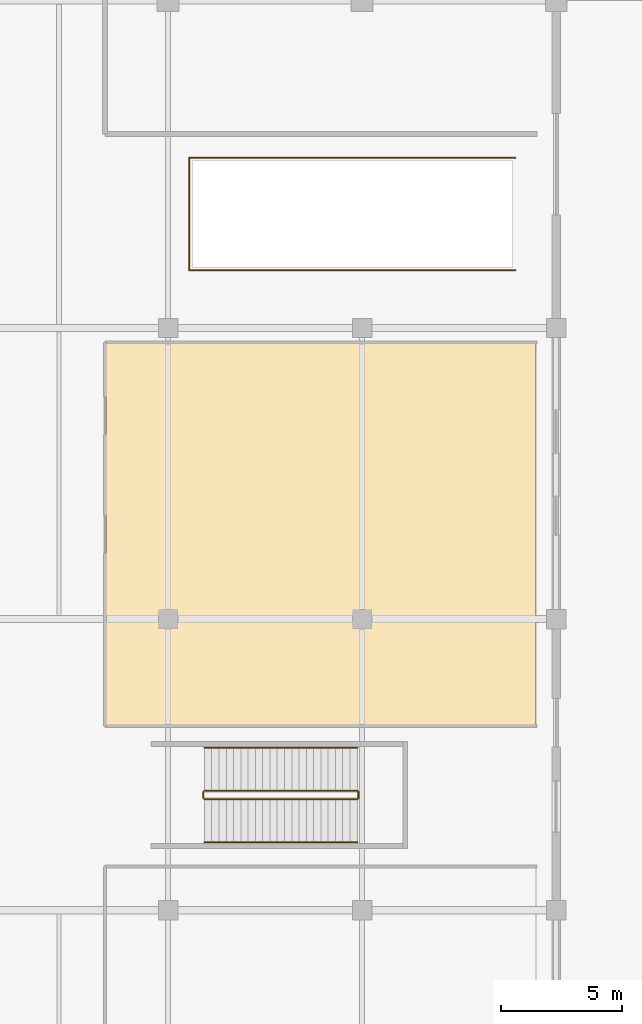
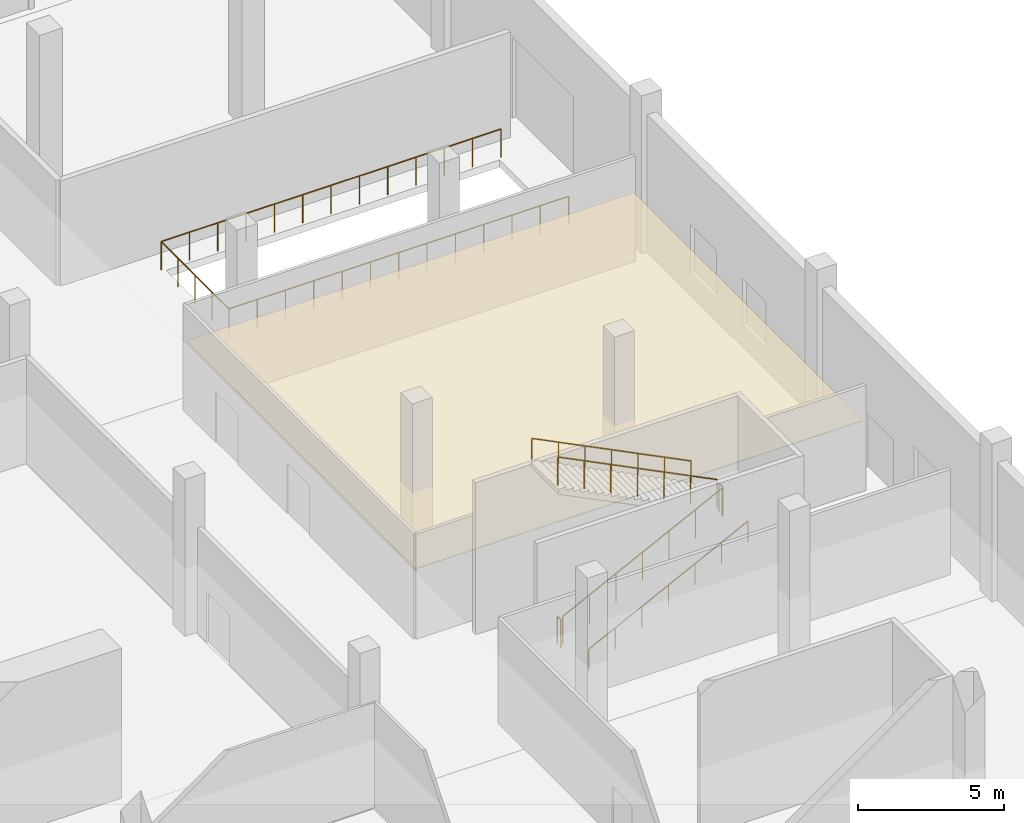
# One storey, part 59 of 65: 9 railings, 1 covering.
"""IFC4 building model written with IfcOpenShell, lengths in metres."""

from ifc_helpers import new_model, si_unit, direction, frame, origin, origin_2d, place, context, subcontext, project, spatial, polyline, circle, outline, extrude, material, layer, layer_set, type_object, element, save


model = new_model("IFC4")

# Units and contexts
model_context = context("Model", 3, precision=1e-05, world=origin(), true_north=direction((0.0, 1.0)))
body_context = subcontext(model_context, "Body", "Model", "MODEL_VIEW")
ifc_project = project(units=[si_unit("LENGTHUNIT", "METRE"), si_unit("AREAUNIT", "SQUARE_METRE"), si_unit("VOLUMEUNIT", "CUBIC_METRE"), si_unit("PLANEANGLEUNIT", "RADIAN"), si_unit("MASSUNIT", "GRAM", prefix="KILO")], contexts=[model_context])

# Site, building, storey
site_placement = place(None, origin())
site = spatial("IfcSite", under=ifc_project, at=site_placement, CompositionType="ELEMENT")
building_placement = place(site_placement, origin())
building = spatial("IfcBuilding", under=site, at=building_placement, Name="Chuanluo Vaults Station", CompositionType="ELEMENT")
storey_placement = place(building_placement, origin())
storey = spatial("IfcBuildingStorey", under=building, at=storey_placement, Name="L00", CompositionType="ELEMENT", Elevation=0.0)

# Covering
ifc_material_1 = material(Name="Acoustic mineral-fibre tile")
ifc_layer = layer(ifc_material_1, 0.02490234375)
ifc_layer_set = layer_set([ifc_layer], Name="Acoustic mineral-fibre tile")
covering_type = type_object("IfcCoveringType", Name="COV-CEIL-TILE", PredefinedType="CEILING", material=ifc_layer_set)
covering_placement = place(storey_placement, frame((0.0, 0.0, 2.85009765625)))
element("IfcCovering", 1, at=covering_placement, inside=storey, type_object=covering_type, Name="L00-20 suspended acoustic ceiling", PredefinedType="CEILING", context=body_context, shape_type="SweptSolid", body=[
    extrude(outline(polyline([(169.43994140625, 37.639892578125), (187.159912109375, 37.639892578125), (187.159912109375, 53.360107421875), (169.43994140625, 53.360107421875), (169.43994140625, 37.639892578125)])), origin(), (0.0, 0.0, 1.0), 0.02490234375),
])

# Railings
ifc_material_2 = material(Name="Tempered laminated balustrade glass", Category="glass")
railing_type_1 = type_object("IfcRailingType", Name="RLG-GUARD-1200", PredefinedType="BALUSTRADE", material=ifc_material_2)
railing_1_placement = place(storey_placement, frame((172.8798828125, 56.3798828125, 0.0)))
element("IfcRailing", 2, at=railing_1_placement, inside=storey, type_object=railing_type_1, Name="Vehicle ramp deck edge guard S", PredefinedType="BALUSTRADE", context=body_context, shape_type="SweptSolid", body=[
    extrude(circle(Radius=0.02392578125, at=origin_2d()), frame((0.0, 0.0, 1.17578125), z_axis=(1.0, 0.0, 0.0), x_axis=(0.0, 1.0, 0.0)), (0.0, 0.0, 1.0), 13.440185546875),
    extrude(circle(Radius=0.02099609375, at=origin_2d()), origin(), (0.0, 0.0, 1.0), 1.15185546875),
    extrude(circle(Radius=0.02099609375, at=origin_2d()), frame((1.1201171875, 0.0, 0.0)), (0.0, 0.0, 1.0), 1.15185546875),
    extrude(circle(Radius=0.02099609375, at=origin_2d()), frame((2.239990234375, 0.0, 0.0)), (0.0, 0.0, 1.0), 1.15185546875),
    extrude(circle(Radius=0.02099609375, at=origin_2d()), frame((3.360107421875, 0.0, 0.0)), (0.0, 0.0, 1.0), 1.15185546875),
    extrude(circle(Radius=0.02099609375, at=origin_2d()), frame((4.47998046875, 0.0, 0.0)), (0.0, 0.0, 1.0), 1.15185546875),
    extrude(circle(Radius=0.02099609375, at=origin_2d()), frame((5.60009765625, 0.0, 0.0)), (0.0, 0.0, 1.0), 1.15185546875),
    extrude(circle(Radius=0.02099609375, at=origin_2d()), frame((6.72021484375, 0.0, 0.0)), (0.0, 0.0, 1.0), 1.15185546875),
    extrude(circle(Radius=0.02099609375, at=origin_2d()), frame((7.840087890625, 0.0, 0.0)), (0.0, 0.0, 1.0), 1.15185546875),
    extrude(circle(Radius=0.02099609375, at=origin_2d()), frame((8.960205078125, 0.0, 0.0)), (0.0, 0.0, 1.0), 1.15185546875),
    extrude(circle(Radius=0.02099609375, at=origin_2d()), frame((10.080078125, 0.0, 0.0)), (0.0, 0.0, 1.0), 1.15185546875),
    extrude(circle(Radius=0.02099609375, at=origin_2d()), frame((11.2001953125, 0.0, 0.0)), (0.0, 0.0, 1.0), 1.15185546875),
    extrude(circle(Radius=0.02099609375, at=origin_2d()), frame((12.320068359375, 0.0, 0.0)), (0.0, 0.0, 1.0), 1.15185546875),
    extrude(circle(Radius=0.02099609375, at=origin_2d()), frame((13.440185546875, 0.0, 0.0)), (0.0, 0.0, 1.0), 1.15185546875),
])
railing_2_placement = place(storey_placement, frame((172.8798828125, 61.02001953125, 0.0)))
element("IfcRailing", 3, at=railing_2_placement, inside=storey, type_object=railing_type_1, Name="Vehicle ramp deck edge guard N", PredefinedType="BALUSTRADE", context=body_context, shape_type="SweptSolid", body=[
    extrude(circle(Radius=0.02392578125, at=origin_2d()), frame((0.0, 0.0, 1.17578125), z_axis=(1.0, 0.0, 0.0), x_axis=(0.0, 1.0, 0.0)), (0.0, 0.0, 1.0), 13.440185546875),
    extrude(circle(Radius=0.02099609375, at=origin_2d()), origin(), (0.0, 0.0, 1.0), 1.15185546875),
    extrude(circle(Radius=0.02099609375, at=origin_2d()), frame((1.1201171875, 0.0, 0.0)), (0.0, 0.0, 1.0), 1.15185546875),
    extrude(circle(Radius=0.02099609375, at=origin_2d()), frame((2.239990234375, 0.0, 0.0)), (0.0, 0.0, 1.0), 1.15185546875),
    extrude(circle(Radius=0.02099609375, at=origin_2d()), frame((3.360107421875, 0.0, 0.0)), (0.0, 0.0, 1.0), 1.15185546875),
    extrude(circle(Radius=0.02099609375, at=origin_2d()), frame((4.47998046875, 0.0, 0.0)), (0.0, 0.0, 1.0), 1.15185546875),
    extrude(circle(Radius=0.02099609375, at=origin_2d()), frame((5.60009765625, 0.0, 0.0)), (0.0, 0.0, 1.0), 1.15185546875),
    extrude(circle(Radius=0.02099609375, at=origin_2d()), frame((6.72021484375, 0.0, 0.0)), (0.0, 0.0, 1.0), 1.15185546875),
    extrude(circle(Radius=0.02099609375, at=origin_2d()), frame((7.840087890625, 0.0, 0.0)), (0.0, 0.0, 1.0), 1.15185546875),
    extrude(circle(Radius=0.02099609375, at=origin_2d()), frame((8.960205078125, 0.0, 0.0)), (0.0, 0.0, 1.0), 1.15185546875),
    extrude(circle(Radius=0.02099609375, at=origin_2d()), frame((10.080078125, 0.0, 0.0)), (0.0, 0.0, 1.0), 1.15185546875),
    extrude(circle(Radius=0.02099609375, at=origin_2d()), frame((11.2001953125, 0.0, 0.0)), (0.0, 0.0, 1.0), 1.15185546875),
    extrude(circle(Radius=0.02099609375, at=origin_2d()), frame((12.320068359375, 0.0, 0.0)), (0.0, 0.0, 1.0), 1.15185546875),
    extrude(circle(Radius=0.02099609375, at=origin_2d()), frame((13.440185546875, 0.0, 0.0)), (0.0, 0.0, 1.0), 1.15185546875),
])
railing_3_placement = place(storey_placement, frame((172.8798828125, 56.3798828125, 0.0)))
element("IfcRailing", 4, at=railing_3_placement, inside=storey, type_object=railing_type_1, Name="Vehicle ramp deck edge guard W", PredefinedType="BALUSTRADE", context=body_context, shape_type="SweptSolid", body=[
    extrude(circle(Radius=0.02392578125, at=origin_2d()), frame((0.0, 0.0, 1.17578125), z_axis=(0.0, 1.0, 0.0), x_axis=(-1.0, 0.0, 0.0)), (0.0, 0.0, 1.0), 4.64013671875),
    extrude(circle(Radius=0.02099609375, at=origin_2d()), origin(), (0.0, 0.0, 1.0), 1.15185546875),
    extrude(circle(Radius=0.02099609375, at=origin_2d()), frame((0.0, 1.16015625, 0.0)), (0.0, 0.0, 1.0), 1.15185546875),
    extrude(circle(Radius=0.02099609375, at=origin_2d()), frame((0.0, 2.320068359375, 0.0)), (0.0, 0.0, 1.0), 1.15185546875),
    extrude(circle(Radius=0.02099609375, at=origin_2d()), frame((0.0, 3.47998046875, 0.0)), (0.0, 0.0, 1.0), 1.15185546875),
    extrude(circle(Radius=0.02099609375, at=origin_2d()), frame((0.0, 4.64013671875, 0.0)), (0.0, 0.0, 1.0), 1.15185546875),
])
railing_4_placement = place(storey_placement, frame((173.5, 34.574951171875, 0.14990234375)))
element("IfcRailing", 5, at=railing_4_placement, inside=storey, type_object=railing_type_1, Name="L00 ST-26 stair guard 1", PredefinedType="BALUSTRADE", context=body_context, shape_type="SweptSolid", body=[
    extrude(circle(Radius=0.02392578125, at=origin_2d()), frame((0.0, 0.0, 1.17578125), z_axis=(0.894420258746, 0.0, 0.44722745974), x_axis=(0.0, 1.0, 0.0)), (0.0, 0.0, 1.0), 7.043701171875),
    extrude(circle(Radius=0.02099609375, at=origin_2d()), origin(), (0.0, 0.0, 1.0), 1.15185546875),
    extrude(circle(Radius=0.02099609375, at=origin_2d()), frame((1.050048828125, 0.0, 0.52490234375)), (0.0, 0.0, 1.0), 1.15185546875),
    extrude(circle(Radius=0.02099609375, at=origin_2d()), frame((2.10009765625, 0.0, 1.050048828125)), (0.0, 0.0, 1.0), 1.15185546875),
    extrude(circle(Radius=0.02099609375, at=origin_2d()), frame((3.14990234375, 0.0, 1.5751953125)), (0.0, 0.0, 1.0), 1.15185546875),
    extrude(circle(Radius=0.02099609375, at=origin_2d()), frame((4.199951171875, 0.0, 2.10009765625)), (0.0, 0.0, 1.0), 1.15185546875),
    extrude(circle(Radius=0.02099609375, at=origin_2d()), frame((5.25, 0.0, 2.625)), (0.0, 0.0, 1.0), 1.15185546875),
    extrude(circle(Radius=0.02099609375, at=origin_2d()), frame((6.300048828125, 0.0, 3.150146484375)), (0.0, 0.0, 1.0), 1.15185546875),
])
railing_5_placement = place(storey_placement, frame((179.85009765625, 34.625, 3.300048828125)))
element("IfcRailing", 6, at=railing_5_placement, inside=storey, type_object=railing_type_1, Name="L00 ST-26 stair guard 2", PredefinedType="BALUSTRADE", context=body_context, shape_type="SweptSolid", body=[
    extrude(circle(Radius=0.02392578125, at=origin_2d()), frame((0.0, 0.0, 1.17578125), z_axis=(0.0, 1.0, 0.0), x_axis=(-1.0, 0.0, 0.0)), (0.0, 0.0, 1.0), 0.25),
    extrude(circle(Radius=0.02099609375, at=origin_2d()), origin(), (0.0, 0.0, 1.0), 1.15185546875),
    extrude(circle(Radius=0.02099609375, at=origin_2d()), frame((0.0, 0.25, 0.0)), (0.0, 0.0, 1.0), 1.15185546875),
])
railing_6_placement = place(storey_placement, frame((179.800048828125, 34.925048828125, 3.449951171875)))
element("IfcRailing", 7, at=railing_6_placement, inside=storey, type_object=railing_type_1, Name="L00 ST-26 stair guard 3", PredefinedType="BALUSTRADE", context=body_context, shape_type="SweptSolid", body=[
    extrude(circle(Radius=0.02392578125, at=origin_2d()), frame((0.0, 0.0, 1.17578125), z_axis=(-0.894420258746, 0.0, 0.44722745974), x_axis=(0.0, -1.0, 0.0)), (0.0, 0.0, 1.0), 7.043701171875),
    extrude(circle(Radius=0.02099609375, at=origin_2d()), origin(), (0.0, 0.0, 1.0), 1.15185546875),
    extrude(circle(Radius=0.02099609375, at=origin_2d()), frame((-1.050048828125, 0.0, 0.52490234375)), (0.0, 0.0, 1.0), 1.15185546875),
    extrude(circle(Radius=0.02099609375, at=origin_2d()), frame((-2.10009765625, 0.0, 1.050048828125)), (0.0, 0.0, 1.0), 1.15185546875),
    extrude(circle(Radius=0.02099609375, at=origin_2d()), frame((-3.14990234375, 0.0, 1.5751953125)), (0.0, 0.0, 1.0), 1.15185546875),
    extrude(circle(Radius=0.02099609375, at=origin_2d()), frame((-4.199951171875, 0.0, 2.10009765625)), (0.0, 0.0, 1.0), 1.15185546875),
    extrude(circle(Radius=0.02099609375, at=origin_2d()), frame((-5.25, 0.0, 2.625)), (0.0, 0.0, 1.0), 1.15185546875),
    extrude(circle(Radius=0.02099609375, at=origin_2d()), frame((-6.300048828125, 0.0, 3.150146484375)), (0.0, 0.0, 1.0), 1.15185546875),
])
railing_7_placement = place(storey_placement, frame((173.449951171875, 34.625, 0.0)))
element("IfcRailing", 8, at=railing_7_placement, inside=storey, type_object=railing_type_1, Name="L00 ST-26 stair guard 4", PredefinedType="BALUSTRADE", context=body_context, shape_type="SweptSolid", body=[
    extrude(circle(Radius=0.02392578125, at=origin_2d()), frame((0.0, 0.0, 1.17578125), z_axis=(0.0, 1.0, 0.0), x_axis=(-1.0, 0.0, 0.0)), (0.0, 0.0, 1.0), 0.25),
    extrude(circle(Radius=0.02099609375, at=origin_2d()), origin(), (0.0, 0.0, 1.0), 1.15185546875),
    extrude(circle(Radius=0.02099609375, at=origin_2d()), frame((0.0, 0.25, 0.0)), (0.0, 0.0, 1.0), 1.15185546875),
])
ifc_material_3 = material(Name="Brushed stainless steel 304", Category="steel")
railing_type_2 = type_object("IfcRailingType", Name="RLG-HAND-900", PredefinedType="HANDRAIL", material=ifc_material_3)
railing_8_placement = place(storey_placement, frame((173.5, 32.800048828125, 0.14990234375)))
element("IfcRailing", 9, at=railing_8_placement, inside=storey, type_object=railing_type_2, Name="L00 ST-26 stair handrail 1", PredefinedType="HANDRAIL", context=body_context, shape_type="SweptSolid", body=[
    extrude(circle(Radius=0.02392578125, at=origin_2d()), frame((0.0, 0.0, 0.8759765625), z_axis=(0.894420258746, 0.0, 0.44722745974), x_axis=(0.0, 1.0, 0.0)), (0.0, 0.0, 1.0), 7.043701171875),
    extrude(circle(Radius=0.02099609375, at=origin_2d()), origin(), (0.0, 0.0, 1.0), 0.851806640625),
    extrude(circle(Radius=0.02099609375, at=origin_2d()), frame((1.050048828125, 0.0, 0.52490234375)), (0.0, 0.0, 1.0), 0.851806640625),
    extrude(circle(Radius=0.02099609375, at=origin_2d()), frame((2.10009765625, 0.0, 1.050048828125)), (0.0, 0.0, 1.0), 0.851806640625),
    extrude(circle(Radius=0.02099609375, at=origin_2d()), frame((3.14990234375, 0.0, 1.5751953125)), (0.0, 0.0, 1.0), 0.851806640625),
    extrude(circle(Radius=0.02099609375, at=origin_2d()), frame((4.199951171875, 0.0, 2.10009765625)), (0.0, 0.0, 1.0), 0.851806640625),
    extrude(circle(Radius=0.02099609375, at=origin_2d()), frame((5.25, 0.0, 2.625)), (0.0, 0.0, 1.0), 0.851806640625),
    extrude(circle(Radius=0.02099609375, at=origin_2d()), frame((6.300048828125, 0.0, 3.150146484375)), (0.0, 0.0, 1.0), 0.851806640625),
])
railing_9_placement = place(storey_placement, frame((179.800048828125, 36.699951171875, 3.449951171875)))
element("IfcRailing", 10, at=railing_9_placement, inside=storey, type_object=railing_type_2, Name="L00 ST-26 stair handrail 2", PredefinedType="HANDRAIL", context=body_context, shape_type="SweptSolid", body=[
    extrude(circle(Radius=0.02392578125, at=origin_2d()), frame((0.0, 0.0, 0.8759765625), z_axis=(-0.894420258746, 0.0, 0.44722745974), x_axis=(0.0, -1.0, 0.0)), (0.0, 0.0, 1.0), 7.043701171875),
    extrude(circle(Radius=0.02099609375, at=origin_2d()), origin(), (0.0, 0.0, 1.0), 0.851806640625),
    extrude(circle(Radius=0.02099609375, at=origin_2d()), frame((-1.050048828125, 0.0, 0.52490234375)), (0.0, 0.0, 1.0), 0.851806640625),
    extrude(circle(Radius=0.02099609375, at=origin_2d()), frame((-2.10009765625, 0.0, 1.050048828125)), (0.0, 0.0, 1.0), 0.851806640625),
    extrude(circle(Radius=0.02099609375, at=origin_2d()), frame((-3.14990234375, 0.0, 1.5751953125)), (0.0, 0.0, 1.0), 0.851806640625),
    extrude(circle(Radius=0.02099609375, at=origin_2d()), frame((-4.199951171875, 0.0, 2.10009765625)), (0.0, 0.0, 1.0), 0.851806640625),
    extrude(circle(Radius=0.02099609375, at=origin_2d()), frame((-5.25, 0.0, 2.625)), (0.0, 0.0, 1.0), 0.851806640625),
    extrude(circle(Radius=0.02099609375, at=origin_2d()), frame((-6.300048828125, 0.0, 3.150146484375)), (0.0, 0.0, 1.0), 0.851806640625),
])

save(model, "model.ifc")
